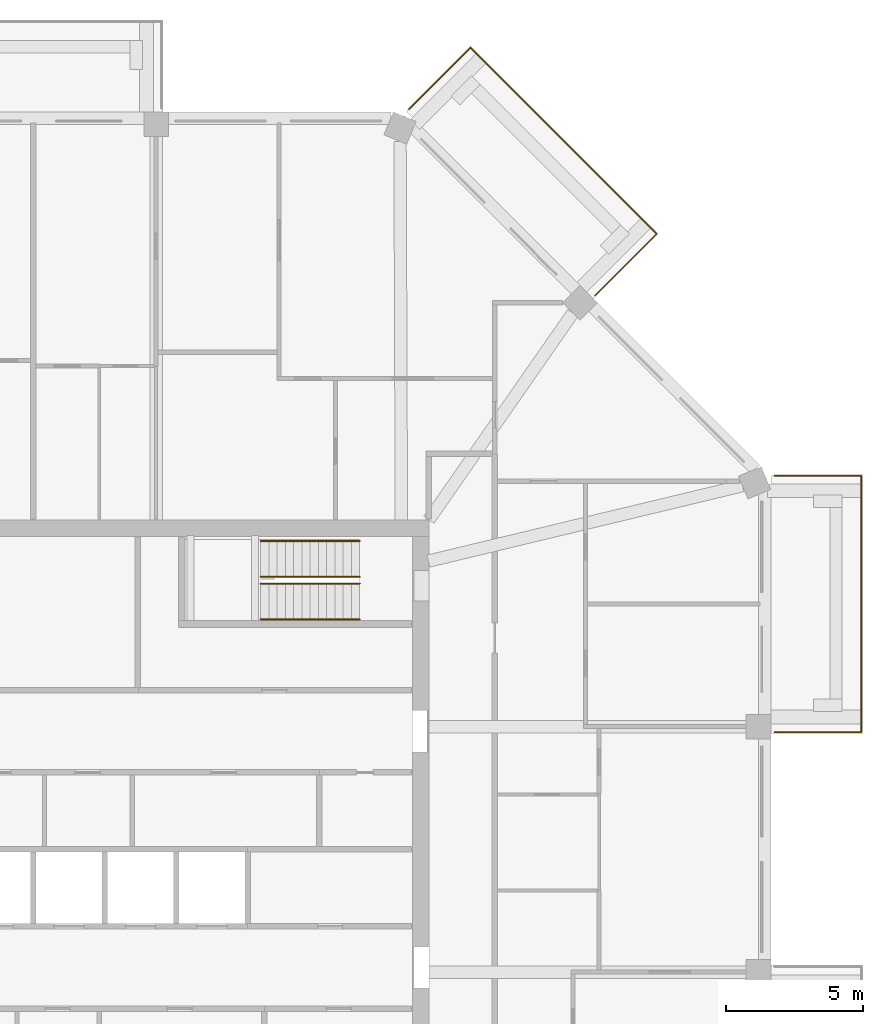
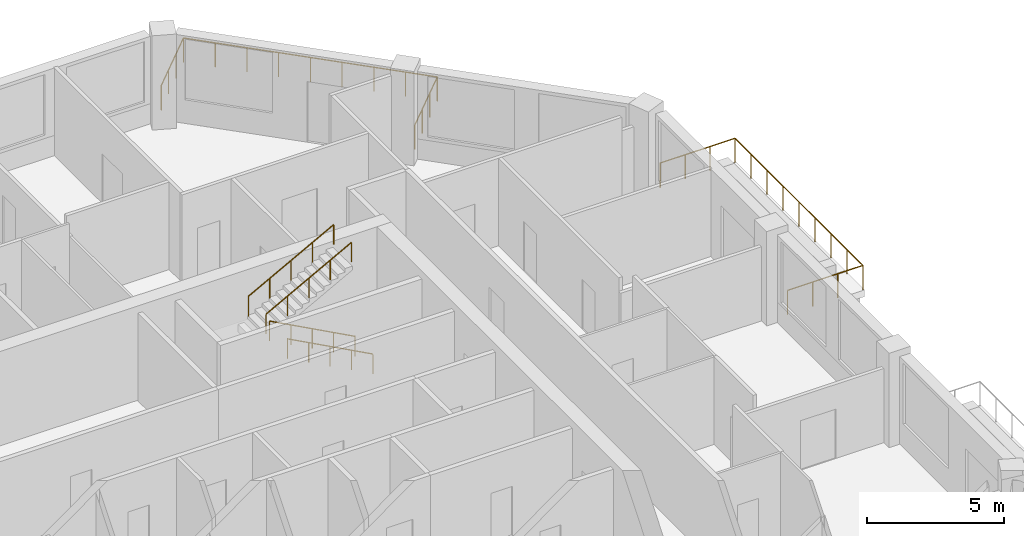
# One storey, part 12 of 12: 6 railings.
"""IFC4 building model written with IfcOpenShell, lengths in metres."""

from ifc_helpers import new_model, si_unit, direction, frame, origin, origin_2d, place, context, subcontext, project, spatial, circle, extrude, material, constituent, constituent_set, type_object, element, save


model = new_model("IFC4")

# Units and contexts
model_context = context("Model", 3, precision=1e-05, world=origin(), true_north=direction((0.0, 1.0)))
body_context = subcontext(model_context, "Body", "Model", "MODEL_VIEW")
ifc_project = project(units=[si_unit("LENGTHUNIT", "METRE"), si_unit("AREAUNIT", "SQUARE_METRE"), si_unit("VOLUMEUNIT", "CUBIC_METRE"), si_unit("PLANEANGLEUNIT", "RADIAN"), si_unit("MASSUNIT", "GRAM", prefix="KILO")], contexts=[model_context])

# Site, building, storey
site_placement = place(None, origin())
site = spatial("IfcSite", under=ifc_project, at=site_placement, CompositionType="ELEMENT")
building_placement = place(site_placement, origin())
building = spatial("IfcBuilding", under=site, at=building_placement, Name="Msitu Wima Residences", CompositionType="ELEMENT")
storey_placement = place(building_placement, frame((0.0, 0.0, 306.300048828125)))
storey = spatial("IfcBuildingStorey", under=building, at=storey_placement, Name="L71", CompositionType="ELEMENT", Elevation=306.300048828125)

# Railings
ifc_material_1 = material(Name="Steel S355", Category="steel")
ifc_constituent_1 = constituent(ifc_material_1, Name="Steel S355")
ifc_material_2 = material(Name="Weathering patina")
ifc_constituent_2 = constituent(ifc_material_2, Name="Weathering patina")
ifc_constituent_set_1 = constituent_set(constituents=[ifc_constituent_1, ifc_constituent_2], Name="Steel S355")
railing_type_1 = type_object("IfcRailingType", Name="Balcony guard GR1100", PredefinedType="GUARDRAIL", material=ifc_constituent_set_1)
railing_1_placement = place(storey_placement, frame((26.97998046875, 13.592041015625, 0.0)))
element("IfcRailing", 1, at=railing_1_placement, inside=storey, type_object=railing_type_1, Name="Balcony guard E2 L71", PredefinedType="GUARDRAIL", context=body_context, shape_type="SweptSolid", body=[
    extrude(circle(Radius=0.02392578125, at=origin_2d()), frame((0.0, 0.0, 1.076171875), z_axis=(0.923276184907, 0.384136806859, 0.0), x_axis=(-0.384136806859, 0.923276184907, 0.0)), (0.0, 0.0, 1.0), 0.0361328125),
    extrude(circle(Radius=0.02392578125, at=origin_2d()), frame((0.033447265625, 0.013916015625, 1.076171875), z_axis=(1.0, 0.0, 0.0), x_axis=(0.0, 1.0, 0.0)), (0.0, 0.0, 1.0), 3.136474609375),
    extrude(circle(Radius=0.02392578125, at=origin_2d()), frame((3.169921875, 0.013916015625, 1.076171875), z_axis=(0.0, -1.0, 0.0), x_axis=(1.0, 0.0, 0.0)), (0.0, 0.0, 1.0), 9.33740234375),
    extrude(circle(Radius=0.02392578125, at=origin_2d()), frame((3.169921875, -9.323486328125, 1.076171875), z_axis=(-1.0, 0.0, 0.0), x_axis=(0.0, -1.0, 0.0)), (0.0, 0.0, 1.0), 3.169921875),
    extrude(circle(Radius=0.02099609375, at=origin_2d()), origin(), (0.0, 0.0, 1.0), 1.052001953125),
    extrude(circle(Radius=0.02099609375, at=origin_2d()), frame((0.033447265625, 0.013916015625, 0.0)), (0.0, 0.0, 1.0), 1.052001953125),
    extrude(circle(Radius=0.02099609375, at=origin_2d()), frame((1.078857421875, 0.013916015625, 0.0)), (0.0, 0.0, 1.0), 1.052001953125),
    extrude(circle(Radius=0.02099609375, at=origin_2d()), frame((2.12451171875, 0.013916015625, 0.0)), (0.0, 0.0, 1.0), 1.052001953125),
    extrude(circle(Radius=0.02099609375, at=origin_2d()), frame((3.169921875, 0.013916015625, 0.0)), (0.0, 0.0, 1.0), 1.052001953125),
    extrude(circle(Radius=0.02099609375, at=origin_2d()), frame((3.169921875, -1.1533203125, 0.0)), (0.0, 0.0, 1.0), 1.052001953125),
    extrude(circle(Radius=0.02099609375, at=origin_2d()), frame((3.169921875, -2.3203125, 0.0)), (0.0, 0.0, 1.0), 1.052001953125),
    extrude(circle(Radius=0.02099609375, at=origin_2d()), frame((3.169921875, -3.487548828125, 0.0)), (0.0, 0.0, 1.0), 1.052001953125),
    extrude(circle(Radius=0.02099609375, at=origin_2d()), frame((3.169921875, -4.65478515625, 0.0)), (0.0, 0.0, 1.0), 1.052001953125),
    extrude(circle(Radius=0.02099609375, at=origin_2d()), frame((3.169921875, -5.822021484375, 0.0)), (0.0, 0.0, 1.0), 1.052001953125),
    extrude(circle(Radius=0.02099609375, at=origin_2d()), frame((3.169921875, -6.9892578125, 0.0)), (0.0, 0.0, 1.0), 1.052001953125),
    extrude(circle(Radius=0.02099609375, at=origin_2d()), frame((3.169921875, -8.15625, 0.0)), (0.0, 0.0, 1.0), 1.052001953125),
    extrude(circle(Radius=0.02099609375, at=origin_2d()), frame((3.169921875, -9.323486328125, 0.0)), (0.0, 0.0, 1.0), 1.052001953125),
    extrude(circle(Radius=0.02099609375, at=origin_2d()), frame((2.11328125, -9.323486328125, 0.0)), (0.0, 0.0, 1.0), 1.052001953125),
    extrude(circle(Radius=0.02099609375, at=origin_2d()), frame((1.056640625, -9.323486328125, 0.0)), (0.0, 0.0, 1.0), 1.052001953125),
    extrude(circle(Radius=0.02099609375, at=origin_2d()), frame((0.0, -9.323486328125, 0.0)), (0.0, 0.0, 1.0), 1.052001953125),
])
railing_2_placement = place(storey_placement, frame((13.684326171875, 26.941650390625, 0.0)))
element("IfcRailing", 2, at=railing_2_placement, inside=storey, type_object=railing_type_1, Name="Balcony guard NE1 L71", PredefinedType="GUARDRAIL", context=body_context, shape_type="SweptSolid", body=[
    extrude(circle(Radius=0.02392578125, at=origin_2d()), frame((0.0, 0.0, 1.076171875), z_axis=(0.38176015442, 0.92426142649, 0.0), x_axis=(-0.92426142649, 0.38176015442, 0.0)), (0.0, 0.0, 1.0), 0.036376953125),
    extrude(circle(Radius=0.02392578125, at=origin_2d()), frame((0.013916015625, 0.03369140625, 1.076171875), z_axis=(0.707106781187, 0.707106781187, 0.0), x_axis=(-0.707106781187, 0.707106781187, 0.0)), (0.0, 0.0, 1.0), 3.136474609375),
    extrude(circle(Radius=0.02392578125, at=origin_2d()), frame((2.231689453125, 2.25146484375, 1.076171875), z_axis=(0.707106781187, -0.707106781187, 0.0), x_axis=(0.707106781187, 0.707106781187, 0.0)), (0.0, 0.0, 1.0), 9.58837890625),
    extrude(circle(Radius=0.02392578125, at=origin_2d()), frame((9.01171875, -4.528564453125, 1.076171875), z_axis=(-0.707106781187, -0.707106781187, 0.0), x_axis=(0.707106781187, -0.707106781187, 0.0)), (0.0, 0.0, 1.0), 3.169921875),
    extrude(circle(Radius=0.02099609375, at=origin_2d()), origin(), (0.0, 0.0, 1.0), 1.052001953125),
    extrude(circle(Radius=0.02099609375, at=origin_2d()), frame((0.013916015625, 0.03369140625, 0.0)), (0.0, 0.0, 1.0), 1.052001953125),
    extrude(circle(Radius=0.02099609375, at=origin_2d()), frame((0.753173828125, 0.77294921875, 0.0)), (0.0, 0.0, 1.0), 1.052001953125),
    extrude(circle(Radius=0.02099609375, at=origin_2d()), frame((1.492431640625, 1.51220703125, 0.0)), (0.0, 0.0, 1.0), 1.052001953125),
    extrude(circle(Radius=0.02099609375, at=origin_2d()), frame((2.231689453125, 2.25146484375, 0.0)), (0.0, 0.0, 1.0), 1.052001953125),
    extrude(circle(Radius=0.02099609375, at=origin_2d()), frame((3.0791015625, 1.404052734375, 0.0)), (0.0, 0.0, 1.0), 1.052001953125),
    extrude(circle(Radius=0.02099609375, at=origin_2d()), frame((3.9267578125, 0.556396484375, 0.0)), (0.0, 0.0, 1.0), 1.052001953125),
    extrude(circle(Radius=0.02099609375, at=origin_2d()), frame((4.774169921875, -0.291015625, 0.0)), (0.0, 0.0, 1.0), 1.052001953125),
    extrude(circle(Radius=0.02099609375, at=origin_2d()), frame((5.62158203125, -1.138671875, 0.0)), (0.0, 0.0, 1.0), 1.052001953125),
    extrude(circle(Radius=0.02099609375, at=origin_2d()), frame((6.46923828125, -1.986083984375, 0.0)), (0.0, 0.0, 1.0), 1.052001953125),
    extrude(circle(Radius=0.02099609375, at=origin_2d()), frame((7.316650390625, -2.83349609375, 0.0)), (0.0, 0.0, 1.0), 1.052001953125),
    extrude(circle(Radius=0.02099609375, at=origin_2d()), frame((8.164306640625, -3.68115234375, 0.0)), (0.0, 0.0, 1.0), 1.052001953125),
    extrude(circle(Radius=0.02099609375, at=origin_2d()), frame((9.01171875, -4.528564453125, 0.0)), (0.0, 0.0, 1.0), 1.052001953125),
    extrude(circle(Radius=0.02099609375, at=origin_2d()), frame((8.2646484375, -5.275634765625, 0.0)), (0.0, 0.0, 1.0), 1.052001953125),
    extrude(circle(Radius=0.02099609375, at=origin_2d()), frame((7.517333984375, -6.02294921875, 0.0)), (0.0, 0.0, 1.0), 1.052001953125),
    extrude(circle(Radius=0.02099609375, at=origin_2d()), frame((6.770263671875, -6.77001953125, 0.0)), (0.0, 0.0, 1.0), 1.052001953125),
])
ifc_constituent_3 = constituent(ifc_material_1, Name="Steel S355")
ifc_material_3 = material(Name="Black powder coating")
ifc_constituent_4 = constituent(ifc_material_3, Name="Black powder coating")
ifc_constituent_set_2 = constituent_set(constituents=[ifc_constituent_3, ifc_constituent_4], Name="Steel S355")
railing_type_2 = type_object("IfcRailingType", Name="Stair handrail HR1", PredefinedType="HANDRAIL", material=ifc_constituent_set_2)
for number, where, name in (
    (3, (11.875, 8.375, 0.161376953125), "Stair 3 handrail"),
    (4, (11.875, 9.675048828125, 0.161376953125), "Stair 3 handrail"),
):
    element("IfcRailing", number, at=place(storey_placement, frame(where)), inside=storey, type_object=railing_type_2, Name=name, PredefinedType="HANDRAIL", context=body_context, shape_type="SweptSolid", body=[
        extrude(circle(Radius=0.02392578125, at=origin_2d()), frame((0.0, 0.0, 0.8759765625), z_axis=(-0.880474934443, 0.0, 0.474092701714), x_axis=(0.0, -1.0, 0.0)), (0.0, 0.0, 1.0), 4.0888671875),
        extrude(circle(Radius=0.02099609375, at=origin_2d()), origin(), (0.0, 0.0, 1.0), 0.851806640625),
        extrude(circle(Radius=0.02099609375, at=origin_2d()), frame((-0.89990234375, 0.0, 0.484619140625)), (0.0, 0.0, 1.0), 0.851806640625),
        extrude(circle(Radius=0.02099609375, at=origin_2d()), frame((-1.800048828125, 0.0, 0.96923828125)), (0.0, 0.0, 1.0), 0.851806640625),
        extrude(circle(Radius=0.02099609375, at=origin_2d()), frame((-2.7001953125, 0.0, 1.453857421875)), (0.0, 0.0, 1.0), 0.851806640625),
        extrude(circle(Radius=0.02099609375, at=origin_2d()), frame((-3.60009765625, 0.0, 1.9384765625)), (0.0, 0.0, 1.0), 0.851806640625),
    ])
for number, where, name in (
    (5, (8.27490234375, 9.925048828125, 2.261474609375), "Stair 3 handrail"),
    (6, (8.27490234375, 11.22509765625, 2.261474609375), "Stair 3 handrail"),
):
    element("IfcRailing", number, at=place(storey_placement, frame(where)), inside=storey, type_object=railing_type_2, Name=name, PredefinedType="HANDRAIL", context=body_context, shape_type="SweptSolid", body=[
        extrude(circle(Radius=0.02392578125, at=origin_2d()), frame((0.0, 0.0, 0.8759765625), z_axis=(0.880474934443, 0.0, 0.474092701714), x_axis=(0.0, 1.0, 0.0)), (0.0, 0.0, 1.0), 4.0888671875),
        extrude(circle(Radius=0.02099609375, at=origin_2d()), origin(), (0.0, 0.0, 1.0), 0.851806640625),
        extrude(circle(Radius=0.02099609375, at=origin_2d()), frame((0.89990234375, 0.0, 0.484619140625)), (0.0, 0.0, 1.0), 0.851806640625),
        extrude(circle(Radius=0.02099609375, at=origin_2d()), frame((1.800048828125, 0.0, 0.96923828125)), (0.0, 0.0, 1.0), 0.851806640625),
        extrude(circle(Radius=0.02099609375, at=origin_2d()), frame((2.7001953125, 0.0, 1.453857421875)), (0.0, 0.0, 1.0), 0.851806640625),
        extrude(circle(Radius=0.02099609375, at=origin_2d()), frame((3.60009765625, 0.0, 1.9384765625)), (0.0, 0.0, 1.0), 0.851806640625),
    ])

save(model, "model.ifc")
